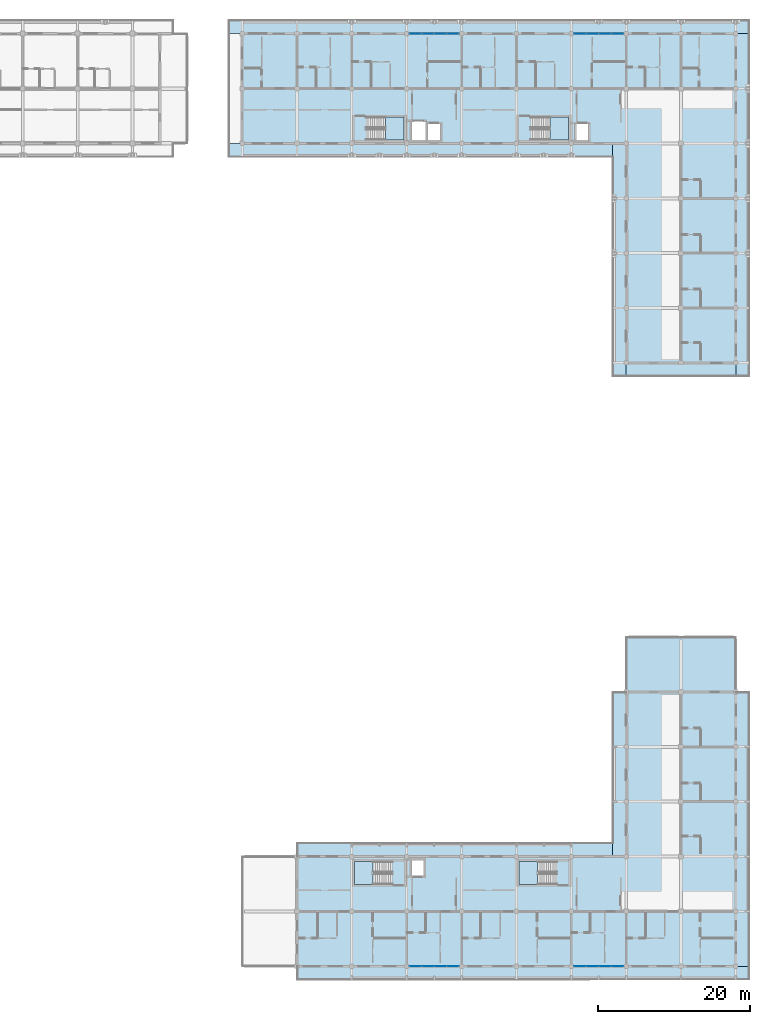
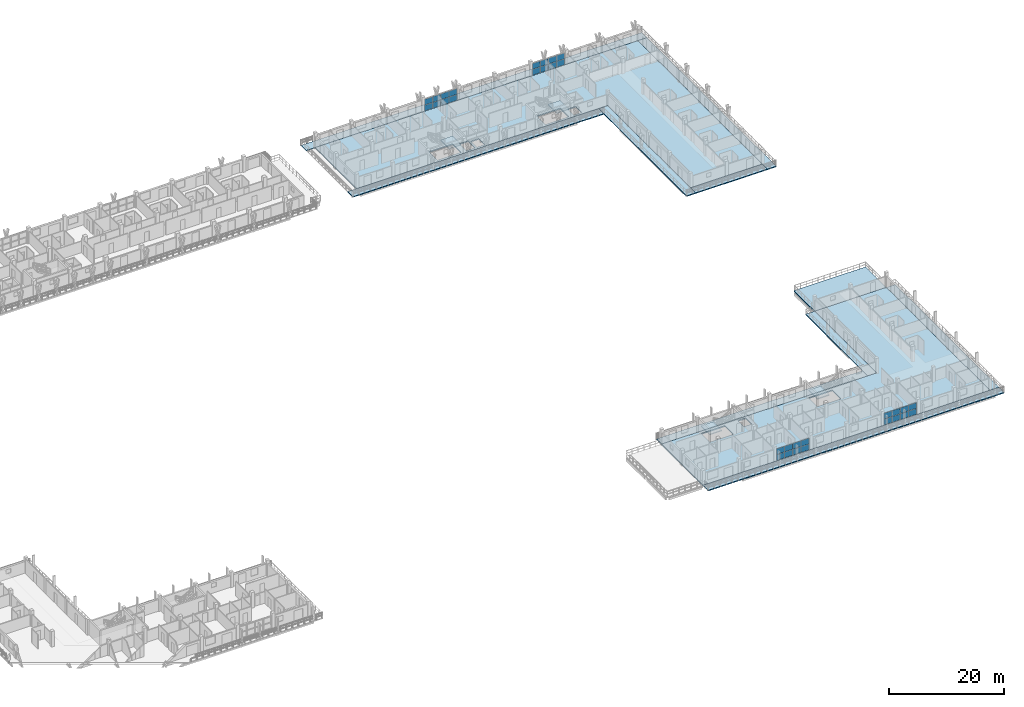
# One storey, part 35 of 75: 32 plates, 16 slabs, 8 elements without a shape of their own.
"""IFC4 building model written with IfcOpenShell, lengths in metres."""

from ifc_helpers import new_model, si_unit, direction, frame, origin, origin_2d, place, context, subcontext, project, spatial, polyline, rectangle, outline, extrude, material, layer, layer_set, type_object, element, aggregate, save


model = new_model("IFC4")

# Units and contexts
model_context = context("Model", 3, precision=1e-05, world=origin(), true_north=direction((0.0, 1.0)))
body_context = subcontext(model_context, "Body", "Model", "MODEL_VIEW")
ifc_project = project(units=[si_unit("LENGTHUNIT", "METRE"), si_unit("AREAUNIT", "SQUARE_METRE"), si_unit("VOLUMEUNIT", "CUBIC_METRE"), si_unit("PLANEANGLEUNIT", "RADIAN"), si_unit("MASSUNIT", "GRAM", prefix="KILO")], contexts=[model_context])

# Site, building, storey
site_placement = place(None, origin())
site = spatial("IfcSite", under=ifc_project, at=site_placement, CompositionType="ELEMENT")
building_placement = place(site_placement, origin())
building = spatial("IfcBuilding", under=site, at=building_placement, Name="Suanplinth Sawtooth Commons", CompositionType="ELEMENT")
storey_placement = place(building_placement, frame((0.0, 0.0, 18.60009765625)))
storey = spatial("IfcBuildingStorey", under=building, at=storey_placement, Name="L05", CompositionType="ELEMENT", Elevation=18.60009765625)

# Curtain wall, plates
ifc_material_1 = material(Name="Anodized aluminium and low-E glazing", Category="aluminium")
curtain_wall_type = type_object("IfcCurtainWallType", Name="CW-06", PredefinedType="USERDEFINED", material=ifc_material_1)
curtain_wall_1_placement = place(storey_placement, origin())
curtain_wall_1 = element("IfcCurtainWall", 1, at=curtain_wall_1_placement, inside=storey, type_object=curtain_wall_type, Name="Curtain Wall CW-L05-B-LOUNGE-20", ObjectType="CURTAIN WALL", PredefinedType="USERDEFINED")
ifc_material_2 = material(Name="Tempered low-E double glazing", Category="glass")
ifc_layer_1 = layer(ifc_material_2, 0.028076171875, Name="Vision low-E insulated glazing unit 28mm")
ifc_layer_set_1 = layer_set([ifc_layer_1], Name="Tempered low-E double glazing")
plate_type = type_object("IfcPlateType", Name="PL-05", PredefinedType="CURTAIN_PANEL", material=ifc_layer_set_1)
plate_1_placement = place(storey_placement, frame((145.141357421875, 122.39990234375, 0.06494140625), z_axis=(0.0, 0.0, 1.0), x_axis=(1.0, 0.0, 0.0)))
plate_1 = element("IfcPlate", 2, at=plate_1_placement, type_object=plate_type, Name="CW-06 panel 1.1", PredefinedType="CURTAIN_PANEL", context=body_context, shape_type="SweptSolid", body=[
    extrude(rectangle(XDim=1.552490234375, YDim=0.028076171875, at=origin_2d()), origin(), (0.0, 0.0, 1.0), 1.20751953125),
])
plate_2_placement = place(storey_placement, frame((145.141357421875, 122.39990234375, 1.33740234375), z_axis=(0.0, 0.0, 1.0), x_axis=(1.0, 0.0, 0.0)))
plate_2 = element("IfcPlate", 3, at=plate_2_placement, type_object=plate_type, Name="CW-06 panel 1.2", PredefinedType="CURTAIN_PANEL", context=body_context, shape_type="SweptSolid", body=[
    extrude(rectangle(XDim=1.552490234375, YDim=0.028076171875, at=origin_2d()), origin(), (0.0, 0.0, 1.0), 1.20751953125),
])
plate_3_placement = place(storey_placement, frame((146.77490234375, 122.39990234375, 0.06494140625), z_axis=(0.0, 0.0, 1.0), x_axis=(1.0, 0.0, 0.0)))
plate_3 = element("IfcPlate", 4, at=plate_3_placement, type_object=plate_type, Name="CW-06 panel 2.1", PredefinedType="CURTAIN_PANEL", context=body_context, shape_type="SweptSolid", body=[
    extrude(rectangle(XDim=1.5849609375, YDim=0.028076171875, at=origin_2d()), origin(), (0.0, 0.0, 1.0), 1.20751953125),
])
plate_4_placement = place(storey_placement, frame((146.77490234375, 122.39990234375, 1.33740234375), z_axis=(0.0, 0.0, 1.0), x_axis=(1.0, 0.0, 0.0)))
plate_4 = element("IfcPlate", 5, at=plate_4_placement, type_object=plate_type, Name="CW-06 panel 2.2", PredefinedType="CURTAIN_PANEL", context=body_context, shape_type="SweptSolid", body=[
    extrude(rectangle(XDim=1.5849609375, YDim=0.028076171875, at=origin_2d()), origin(), (0.0, 0.0, 1.0), 1.20751953125),
])
plate_5_placement = place(storey_placement, frame((148.425048828125, 122.39990234375, 0.06494140625), z_axis=(0.0, 0.0, 1.0), x_axis=(1.0, 0.0, 0.0)))
plate_5 = element("IfcPlate", 6, at=plate_5_placement, type_object=plate_type, Name="CW-06 panel 3.1", PredefinedType="CURTAIN_PANEL", context=body_context, shape_type="SweptSolid", body=[
    extrude(rectangle(XDim=1.5849609375, YDim=0.028076171875, at=origin_2d()), origin(), (0.0, 0.0, 1.0), 1.20751953125),
])
plate_6_placement = place(storey_placement, frame((148.425048828125, 122.39990234375, 1.33740234375), z_axis=(0.0, 0.0, 1.0), x_axis=(1.0, 0.0, 0.0)))
plate_6 = element("IfcPlate", 7, at=plate_6_placement, type_object=plate_type, Name="CW-06 panel 3.2", PredefinedType="CURTAIN_PANEL", context=body_context, shape_type="SweptSolid", body=[
    extrude(rectangle(XDim=1.5849609375, YDim=0.028076171875, at=origin_2d()), origin(), (0.0, 0.0, 1.0), 1.20751953125),
])
plate_7_placement = place(storey_placement, frame((150.058837890625, 122.39990234375, 0.06494140625), z_axis=(0.0, 0.0, 1.0), x_axis=(1.0, 0.0, 0.0)))
plate_7 = element("IfcPlate", 8, at=plate_7_placement, type_object=plate_type, Name="CW-06 panel 4.1", PredefinedType="CURTAIN_PANEL", context=body_context, shape_type="SweptSolid", body=[
    extrude(rectangle(XDim=1.552490234375, YDim=0.028076171875, at=origin_2d()), origin(), (0.0, 0.0, 1.0), 1.20751953125),
])
plate_8_placement = place(storey_placement, frame((150.058837890625, 122.39990234375, 1.33740234375), z_axis=(0.0, 0.0, 1.0), x_axis=(1.0, 0.0, 0.0)))
plate_8 = element("IfcPlate", 9, at=plate_8_placement, type_object=plate_type, Name="CW-06 panel 4.2", PredefinedType="CURTAIN_PANEL", context=body_context, shape_type="SweptSolid", body=[
    extrude(rectangle(XDim=1.552490234375, YDim=0.028076171875, at=origin_2d()), origin(), (0.0, 0.0, 1.0), 1.20751953125),
])
aggregate(curtain_wall_1, [plate_1, plate_2, plate_3, plate_4, plate_5, plate_6, plate_7, plate_8])

curtain_wall_2_placement = place(storey_placement, origin())
curtain_wall_2 = element("IfcCurtainWall", 10, at=curtain_wall_2_placement, inside=storey, type_object=curtain_wall_type, Name="Curtain Wall CW-L05-B-LOUNGE-23", ObjectType="CURTAIN WALL", PredefinedType="USERDEFINED")
plate_9_placement = place(storey_placement, frame((166.7412109375, 122.39990234375, 0.06494140625), z_axis=(0.0, 0.0, 1.0), x_axis=(1.0, 0.0, 0.0)))
plate_9 = element("IfcPlate", 11, at=plate_9_placement, type_object=plate_type, Name="CW-06 panel 1.1", PredefinedType="CURTAIN_PANEL", context=body_context, shape_type="SweptSolid", body=[
    extrude(rectangle(XDim=1.552490234375, YDim=0.028076171875, at=origin_2d()), origin(), (0.0, 0.0, 1.0), 1.20751953125),
])
plate_10_placement = place(storey_placement, frame((166.7412109375, 122.39990234375, 1.33740234375), z_axis=(0.0, 0.0, 1.0), x_axis=(1.0, 0.0, 0.0)))
plate_10 = element("IfcPlate", 12, at=plate_10_placement, type_object=plate_type, Name="CW-06 panel 1.2", PredefinedType="CURTAIN_PANEL", context=body_context, shape_type="SweptSolid", body=[
    extrude(rectangle(XDim=1.552490234375, YDim=0.028076171875, at=origin_2d()), origin(), (0.0, 0.0, 1.0), 1.20751953125),
])
plate_11_placement = place(storey_placement, frame((168.375, 122.39990234375, 0.06494140625), z_axis=(0.0, 0.0, 1.0), x_axis=(1.0, 0.0, 0.0)))
plate_11 = element("IfcPlate", 13, at=plate_11_placement, type_object=plate_type, Name="CW-06 panel 2.1", PredefinedType="CURTAIN_PANEL", context=body_context, shape_type="SweptSolid", body=[
    extrude(rectangle(XDim=1.5849609375, YDim=0.028076171875, at=origin_2d()), origin(), (0.0, 0.0, 1.0), 1.20751953125),
])
plate_12_placement = place(storey_placement, frame((168.375, 122.39990234375, 1.33740234375), z_axis=(0.0, 0.0, 1.0), x_axis=(1.0, 0.0, 0.0)))
plate_12 = element("IfcPlate", 14, at=plate_12_placement, type_object=plate_type, Name="CW-06 panel 2.2", PredefinedType="CURTAIN_PANEL", context=body_context, shape_type="SweptSolid", body=[
    extrude(rectangle(XDim=1.5849609375, YDim=0.028076171875, at=origin_2d()), origin(), (0.0, 0.0, 1.0), 1.20751953125),
])
plate_13_placement = place(storey_placement, frame((170.02490234375, 122.39990234375, 0.06494140625), z_axis=(0.0, 0.0, 1.0), x_axis=(1.0, 0.0, 0.0)))
plate_13 = element("IfcPlate", 15, at=plate_13_placement, type_object=plate_type, Name="CW-06 panel 3.1", PredefinedType="CURTAIN_PANEL", context=body_context, shape_type="SweptSolid", body=[
    extrude(rectangle(XDim=1.5849609375, YDim=0.028076171875, at=origin_2d()), origin(), (0.0, 0.0, 1.0), 1.20751953125),
])
plate_14_placement = place(storey_placement, frame((170.02490234375, 122.39990234375, 1.33740234375), z_axis=(0.0, 0.0, 1.0), x_axis=(1.0, 0.0, 0.0)))
plate_14 = element("IfcPlate", 16, at=plate_14_placement, type_object=plate_type, Name="CW-06 panel 3.2", PredefinedType="CURTAIN_PANEL", context=body_context, shape_type="SweptSolid", body=[
    extrude(rectangle(XDim=1.5849609375, YDim=0.028076171875, at=origin_2d()), origin(), (0.0, 0.0, 1.0), 1.20751953125),
])
plate_15_placement = place(storey_placement, frame((171.65869140625, 122.39990234375, 0.06494140625), z_axis=(0.0, 0.0, 1.0), x_axis=(1.0, 0.0, 0.0)))
plate_15 = element("IfcPlate", 17, at=plate_15_placement, type_object=plate_type, Name="CW-06 panel 4.1", PredefinedType="CURTAIN_PANEL", context=body_context, shape_type="SweptSolid", body=[
    extrude(rectangle(XDim=1.552490234375, YDim=0.028076171875, at=origin_2d()), origin(), (0.0, 0.0, 1.0), 1.20751953125),
])
plate_16_placement = place(storey_placement, frame((171.65869140625, 122.39990234375, 1.33740234375), z_axis=(0.0, 0.0, 1.0), x_axis=(1.0, 0.0, 0.0)))
plate_16 = element("IfcPlate", 18, at=plate_16_placement, type_object=plate_type, Name="CW-06 panel 4.2", PredefinedType="CURTAIN_PANEL", context=body_context, shape_type="SweptSolid", body=[
    extrude(rectangle(XDim=1.552490234375, YDim=0.028076171875, at=origin_2d()), origin(), (0.0, 0.0, 1.0), 1.20751953125),
])
aggregate(curtain_wall_2, [plate_9, plate_10, plate_11, plate_12, plate_13, plate_14, plate_15, plate_16])

curtain_wall_3_placement = place(storey_placement, origin())
curtain_wall_3 = element("IfcCurtainWall", 19, at=curtain_wall_3_placement, inside=storey, type_object=curtain_wall_type, Name="Curtain Wall CW-L05-C-LOUNGE-20", ObjectType="CURTAIN WALL", PredefinedType="USERDEFINED")
plate_17_placement = place(storey_placement, frame((145.141357421875, 0.0, 0.06494140625), z_axis=(0.0, 0.0, 1.0), x_axis=(1.0, 0.0, 0.0)))
plate_17 = element("IfcPlate", 20, at=plate_17_placement, type_object=plate_type, Name="CW-06 panel 1.1", PredefinedType="CURTAIN_PANEL", context=body_context, shape_type="SweptSolid", body=[
    extrude(rectangle(XDim=1.552490234375, YDim=0.028076171875, at=origin_2d()), origin(), (0.0, 0.0, 1.0), 1.20751953125),
])
plate_18_placement = place(storey_placement, frame((145.141357421875, 0.0, 1.33740234375), z_axis=(0.0, 0.0, 1.0), x_axis=(1.0, 0.0, 0.0)))
plate_18 = element("IfcPlate", 21, at=plate_18_placement, type_object=plate_type, Name="CW-06 panel 1.2", PredefinedType="CURTAIN_PANEL", context=body_context, shape_type="SweptSolid", body=[
    extrude(rectangle(XDim=1.552490234375, YDim=0.028076171875, at=origin_2d()), origin(), (0.0, 0.0, 1.0), 1.20751953125),
])
plate_19_placement = place(storey_placement, frame((146.77490234375, 0.0, 0.06494140625), z_axis=(0.0, 0.0, 1.0), x_axis=(1.0, 0.0, 0.0)))
plate_19 = element("IfcPlate", 22, at=plate_19_placement, type_object=plate_type, Name="CW-06 panel 2.1", PredefinedType="CURTAIN_PANEL", context=body_context, shape_type="SweptSolid", body=[
    extrude(rectangle(XDim=1.5849609375, YDim=0.028076171875, at=origin_2d()), origin(), (0.0, 0.0, 1.0), 1.20751953125),
])
plate_20_placement = place(storey_placement, frame((146.77490234375, 0.0, 1.33740234375), z_axis=(0.0, 0.0, 1.0), x_axis=(1.0, 0.0, 0.0)))
plate_20 = element("IfcPlate", 23, at=plate_20_placement, type_object=plate_type, Name="CW-06 panel 2.2", PredefinedType="CURTAIN_PANEL", context=body_context, shape_type="SweptSolid", body=[
    extrude(rectangle(XDim=1.5849609375, YDim=0.028076171875, at=origin_2d()), origin(), (0.0, 0.0, 1.0), 1.20751953125),
])
plate_21_placement = place(storey_placement, frame((148.425048828125, 0.0, 0.06494140625), z_axis=(0.0, 0.0, 1.0), x_axis=(1.0, 0.0, 0.0)))
plate_21 = element("IfcPlate", 24, at=plate_21_placement, type_object=plate_type, Name="CW-06 panel 3.1", PredefinedType="CURTAIN_PANEL", context=body_context, shape_type="SweptSolid", body=[
    extrude(rectangle(XDim=1.5849609375, YDim=0.028076171875, at=origin_2d()), origin(), (0.0, 0.0, 1.0), 1.20751953125),
])
plate_22_placement = place(storey_placement, frame((148.425048828125, 0.0, 1.33740234375), z_axis=(0.0, 0.0, 1.0), x_axis=(1.0, 0.0, 0.0)))
plate_22 = element("IfcPlate", 25, at=plate_22_placement, type_object=plate_type, Name="CW-06 panel 3.2", PredefinedType="CURTAIN_PANEL", context=body_context, shape_type="SweptSolid", body=[
    extrude(rectangle(XDim=1.5849609375, YDim=0.028076171875, at=origin_2d()), origin(), (0.0, 0.0, 1.0), 1.20751953125),
])
plate_23_placement = place(storey_placement, frame((150.058837890625, 0.0, 0.06494140625), z_axis=(0.0, 0.0, 1.0), x_axis=(1.0, 0.0, 0.0)))
plate_23 = element("IfcPlate", 26, at=plate_23_placement, type_object=plate_type, Name="CW-06 panel 4.1", PredefinedType="CURTAIN_PANEL", context=body_context, shape_type="SweptSolid", body=[
    extrude(rectangle(XDim=1.552490234375, YDim=0.028076171875, at=origin_2d()), origin(), (0.0, 0.0, 1.0), 1.20751953125),
])
plate_24_placement = place(storey_placement, frame((150.058837890625, 0.0, 1.33740234375), z_axis=(0.0, 0.0, 1.0), x_axis=(1.0, 0.0, 0.0)))
plate_24 = element("IfcPlate", 27, at=plate_24_placement, type_object=plate_type, Name="CW-06 panel 4.2", PredefinedType="CURTAIN_PANEL", context=body_context, shape_type="SweptSolid", body=[
    extrude(rectangle(XDim=1.552490234375, YDim=0.028076171875, at=origin_2d()), origin(), (0.0, 0.0, 1.0), 1.20751953125),
])
aggregate(curtain_wall_3, [plate_17, plate_18, plate_19, plate_20, plate_21, plate_22, plate_23, plate_24])

curtain_wall_4_placement = place(storey_placement, origin())
curtain_wall_4 = element("IfcCurtainWall", 28, at=curtain_wall_4_placement, inside=storey, type_object=curtain_wall_type, Name="Curtain Wall CW-L05-C-LOUNGE-23", ObjectType="CURTAIN WALL", PredefinedType="USERDEFINED")
plate_25_placement = place(storey_placement, frame((166.7412109375, 0.0, 0.06494140625), z_axis=(0.0, 0.0, 1.0), x_axis=(1.0, 0.0, 0.0)))
plate_25 = element("IfcPlate", 29, at=plate_25_placement, type_object=plate_type, Name="CW-06 panel 1.1", PredefinedType="CURTAIN_PANEL", context=body_context, shape_type="SweptSolid", body=[
    extrude(rectangle(XDim=1.552490234375, YDim=0.028076171875, at=origin_2d()), origin(), (0.0, 0.0, 1.0), 1.20751953125),
])
plate_26_placement = place(storey_placement, frame((166.7412109375, 0.0, 1.33740234375), z_axis=(0.0, 0.0, 1.0), x_axis=(1.0, 0.0, 0.0)))
plate_26 = element("IfcPlate", 30, at=plate_26_placement, type_object=plate_type, Name="CW-06 panel 1.2", PredefinedType="CURTAIN_PANEL", context=body_context, shape_type="SweptSolid", body=[
    extrude(rectangle(XDim=1.552490234375, YDim=0.028076171875, at=origin_2d()), origin(), (0.0, 0.0, 1.0), 1.20751953125),
])
plate_27_placement = place(storey_placement, frame((168.375, 0.0, 0.06494140625), z_axis=(0.0, 0.0, 1.0), x_axis=(1.0, 0.0, 0.0)))
plate_27 = element("IfcPlate", 31, at=plate_27_placement, type_object=plate_type, Name="CW-06 panel 2.1", PredefinedType="CURTAIN_PANEL", context=body_context, shape_type="SweptSolid", body=[
    extrude(rectangle(XDim=1.5849609375, YDim=0.028076171875, at=origin_2d()), origin(), (0.0, 0.0, 1.0), 1.20751953125),
])
plate_28_placement = place(storey_placement, frame((168.375, 0.0, 1.33740234375), z_axis=(0.0, 0.0, 1.0), x_axis=(1.0, 0.0, 0.0)))
plate_28 = element("IfcPlate", 32, at=plate_28_placement, type_object=plate_type, Name="CW-06 panel 2.2", PredefinedType="CURTAIN_PANEL", context=body_context, shape_type="SweptSolid", body=[
    extrude(rectangle(XDim=1.5849609375, YDim=0.028076171875, at=origin_2d()), origin(), (0.0, 0.0, 1.0), 1.20751953125),
])
plate_29_placement = place(storey_placement, frame((170.02490234375, 0.0, 0.06494140625), z_axis=(0.0, 0.0, 1.0), x_axis=(1.0, 0.0, 0.0)))
plate_29 = element("IfcPlate", 33, at=plate_29_placement, type_object=plate_type, Name="CW-06 panel 3.1", PredefinedType="CURTAIN_PANEL", context=body_context, shape_type="SweptSolid", body=[
    extrude(rectangle(XDim=1.5849609375, YDim=0.028076171875, at=origin_2d()), origin(), (0.0, 0.0, 1.0), 1.20751953125),
])
plate_30_placement = place(storey_placement, frame((170.02490234375, 0.0, 1.33740234375), z_axis=(0.0, 0.0, 1.0), x_axis=(1.0, 0.0, 0.0)))
plate_30 = element("IfcPlate", 34, at=plate_30_placement, type_object=plate_type, Name="CW-06 panel 3.2", PredefinedType="CURTAIN_PANEL", context=body_context, shape_type="SweptSolid", body=[
    extrude(rectangle(XDim=1.5849609375, YDim=0.028076171875, at=origin_2d()), origin(), (0.0, 0.0, 1.0), 1.20751953125),
])
plate_31_placement = place(storey_placement, frame((171.65869140625, 0.0, 0.06494140625), z_axis=(0.0, 0.0, 1.0), x_axis=(1.0, 0.0, 0.0)))
plate_31 = element("IfcPlate", 35, at=plate_31_placement, type_object=plate_type, Name="CW-06 panel 4.1", PredefinedType="CURTAIN_PANEL", context=body_context, shape_type="SweptSolid", body=[
    extrude(rectangle(XDim=1.552490234375, YDim=0.028076171875, at=origin_2d()), origin(), (0.0, 0.0, 1.0), 1.20751953125),
])
plate_32_placement = place(storey_placement, frame((171.65869140625, 0.0, 1.33740234375), z_axis=(0.0, 0.0, 1.0), x_axis=(1.0, 0.0, 0.0)))
plate_32 = element("IfcPlate", 36, at=plate_32_placement, type_object=plate_type, Name="CW-06 panel 4.2", PredefinedType="CURTAIN_PANEL", context=body_context, shape_type="SweptSolid", body=[
    extrude(rectangle(XDim=1.552490234375, YDim=0.028076171875, at=origin_2d()), origin(), (0.0, 0.0, 1.0), 1.20751953125),
])
aggregate(curtain_wall_4, [plate_25, plate_26, plate_27, plate_28, plate_29, plate_30, plate_31, plate_32])

# Slabs
ifc_material_3 = material(Name="Precast concrete C40/50", Category="concrete")
ifc_layer_2 = layer(ifc_material_3, 0.179931640625, Name="Wrap-around cantilevered precast balcony slab 180mm")
ifc_layer_set_2 = layer_set([ifc_layer_2], Name="Precast concrete C40/50")
slab_type_1 = type_object("IfcSlabType", Name="S-BL01", PredefinedType="FLOOR", material=ifc_layer_set_2)
slab_1_placement = place(storey_placement, frame((0.0, 0.0, -0.18017578125)))
element("IfcSlab", 37, at=slab_1_placement, inside=storey, type_object=slab_type_1, Name="L05 Block B Wrap-Around Balcony N", PredefinedType="FLOOR", context=body_context, shape_type="SweptSolid", body=[
    extrude(outline(polyline([(120.60009765625, 122.39990234375), (120.60009765625, 124.199951171875), (189.0, 124.199951171875), (189.0, 122.39990234375), (120.60009765625, 122.39990234375)])), origin(), (0.0, 0.0, 1.0), 0.18017578125),
])
slab_2_placement = place(storey_placement, frame((0.0, 0.0, -0.18017578125)))
element("IfcSlab", 38, at=slab_2_placement, inside=storey, type_object=slab_type_1, Name="L05 Block B Wrap-Around Balcony E", PredefinedType="FLOOR", context=body_context, shape_type="SweptSolid", body=[
    extrude(outline(polyline([(189.0, 122.39990234375), (189.0, 77.39990234375), (187.199951171875, 77.39990234375), (187.199951171875, 122.39990234375), (189.0, 122.39990234375)])), origin(), (0.0, 0.0, 1.0), 0.18017578125),
])
slab_3_placement = place(storey_placement, frame((0.0, 0.0, -0.18017578125)))
element("IfcSlab", 39, at=slab_3_placement, inside=storey, type_object=slab_type_1, Name="L05 Block B Wrap-Around Balcony SEND", PredefinedType="FLOOR", context=body_context, shape_type="SweptSolid", body=[
    extrude(outline(polyline([(187.199951171875, 77.39990234375), (172.800048828125, 77.39990234375), (172.800048828125, 79.199951171875), (187.199951171875, 79.199951171875), (187.199951171875, 77.39990234375)])), origin(), (0.0, 0.0, 1.0), 0.18017578125),
])
slab_4_placement = place(storey_placement, frame((0.0, 0.0, -0.18017578125)))
element("IfcSlab", 40, at=slab_4_placement, inside=storey, type_object=slab_type_1, Name="L05 Block C Wrap-Around Balcony S", PredefinedType="FLOOR", context=body_context, shape_type="SweptSolid", body=[
    extrude(outline(polyline([(189.0, 0.0), (189.0, -1.800048828125), (129.60009765625, -1.800048828125), (129.60009765625, 0.0), (189.0, 0.0)])), origin(), (0.0, 0.0, 1.0), 0.18017578125),
])
slab_5_placement = place(storey_placement, frame((0.0, 0.0, -0.18017578125)))
element("IfcSlab", 41, at=slab_5_placement, inside=storey, type_object=slab_type_1, Name="L05 Block C Wrap-Around Balcony E", PredefinedType="FLOOR", context=body_context, shape_type="SweptSolid", body=[
    extrude(outline(polyline([(189.0, 36.0), (189.0, 0.0), (187.199951171875, 0.0), (187.199951171875, 36.0), (189.0, 36.0)])), origin(), (0.0, 0.0, 1.0), 0.18017578125),
])
ifc_layer_3 = layer(ifc_material_3, 0.175048828125, Name="Courtyard cantilevered precast balcony slab 175mm")
ifc_layer_set_3 = layer_set([ifc_layer_3], Name="Precast concrete C40/50")
slab_type_2 = type_object("IfcSlabType", Name="S-BL02", PredefinedType="FLOOR", material=ifc_layer_set_3)
slab_6_placement = place(storey_placement, frame((0.0, 0.0, -0.175048828125)))
element("IfcSlab", 42, at=slab_6_placement, inside=storey, type_object=slab_type_2, Name="L05 Block B Wrap-Around Balcony SC", PredefinedType="FLOOR", context=body_context, shape_type="SweptSolid", body=[
    extrude(outline(polyline([(171.0, 106.199951171875), (120.60009765625, 106.199951171875), (120.60009765625, 108.0), (171.0, 108.0), (171.0, 106.199951171875)])), origin(), (0.0, 0.0, 1.0), 0.175048828125),
])
slab_7_placement = place(storey_placement, frame((0.0, 0.0, -0.175048828125)))
element("IfcSlab", 43, at=slab_7_placement, inside=storey, type_object=slab_type_2, Name="L05 Block B Wrap-Around Balcony WC", PredefinedType="FLOOR", context=body_context, shape_type="SweptSolid", body=[
    extrude(outline(polyline([(172.800048828125, 77.39990234375), (171.0, 77.39990234375), (171.0, 108.0), (172.800048828125, 108.0), (172.800048828125, 77.39990234375)])), origin(), (0.0, 0.0, 1.0), 0.175048828125),
])
slab_8_placement = place(storey_placement, frame((0.0, 0.0, -0.175048828125)))
element("IfcSlab", 44, at=slab_8_placement, inside=storey, type_object=slab_type_2, Name="L05 Block C Wrap-Around Balcony NC", PredefinedType="FLOOR", context=body_context, shape_type="SweptSolid", body=[
    extrude(outline(polyline([(129.60009765625, 16.199951171875), (171.0, 16.199951171875), (171.0, 14.39990234375), (129.60009765625, 14.39990234375), (129.60009765625, 16.199951171875)])), origin(), (0.0, 0.0, 1.0), 0.175048828125),
])
slab_9_placement = place(storey_placement, frame((0.0, 0.0, -0.175048828125)))
element("IfcSlab", 45, at=slab_9_placement, inside=storey, type_object=slab_type_2, Name="L05 Block C Wrap-Around Balcony WC", PredefinedType="FLOOR", context=body_context, shape_type="SweptSolid", body=[
    extrude(outline(polyline([(172.800048828125, 14.39990234375), (171.0, 14.39990234375), (171.0, 36.0), (172.800048828125, 36.0), (172.800048828125, 14.39990234375)])), origin(), (0.0, 0.0, 1.0), 0.175048828125),
])
ifc_layer_4 = layer(ifc_material_3, 0.25, Name="Precast hollow-core + topping floor slab 250mm")
ifc_layer_set_4 = layer_set([ifc_layer_4], Name="Precast concrete C40/50")
slab_type_3 = type_object("IfcSlabType", Name="S-FL01", PredefinedType="FLOOR", material=ifc_layer_set_4)
slab_10_placement = place(storey_placement, frame((0.0, 0.0, -0.25)))
element("IfcSlab", 46, at=slab_10_placement, inside=storey, type_object=slab_type_3, Name="L05 Block B Structural Floor Plate", PredefinedType="FLOOR", context=body_context, shape_type="SweptSolid", body=[
    extrude(outline(polyline([(172.800048828125, 108.0), (122.39990234375, 108.0), (122.39990234375, 122.39990234375), (187.199951171875, 122.39990234375), (187.199951171875, 79.199951171875), (172.800048828125, 79.199951171875), (172.800048828125, 108.0)]), holes=[polyline([(138.889892578125, 108.449951171875), (143.64990234375, 108.449951171875), (143.64990234375, 111.449951171875), (138.889892578125, 111.449951171875), (138.889892578125, 108.449951171875)]), polyline([(144.64990234375, 108.449951171875), (146.449951171875, 108.449951171875), (146.449951171875, 110.85009765625), (144.64990234375, 110.85009765625), (144.64990234375, 108.449951171875)]), polyline([(146.800048828125, 108.449951171875), (148.39990234375, 108.449951171875), (148.39990234375, 110.550048828125), (146.800048828125, 110.550048828125), (146.800048828125, 108.449951171875)]), polyline([(160.489990234375, 108.449951171875), (165.25, 108.449951171875), (165.25, 111.449951171875), (160.489990234375, 111.449951171875), (160.489990234375, 108.449951171875)]), polyline([(166.25, 108.449951171875), (167.85009765625, 108.449951171875), (167.85009765625, 110.550048828125), (166.25, 110.550048828125), (166.25, 108.449951171875)])]), origin(), (0.0, 0.0, 1.0), 0.25),
])
slab_11_placement = place(storey_placement, frame((0.0, 0.0, -0.25)))
element("IfcSlab", 47, at=slab_11_placement, inside=storey, type_object=slab_type_3, Name="L05 Block C Structural Floor Plate", PredefinedType="FLOOR", context=body_context, shape_type="SweptSolid", body=[
    extrude(outline(polyline([(187.199951171875, 0.0), (129.60009765625, 0.0), (129.60009765625, 14.39990234375), (172.800048828125, 14.39990234375), (172.800048828125, 36.0), (187.199951171875, 36.0), (187.199951171875, 0.0)]), holes=[polyline([(137.14990234375, 10.75), (141.909912109375, 10.75), (141.909912109375, 13.75), (137.14990234375, 13.75), (137.14990234375, 10.75)]), polyline([(144.64990234375, 11.85009765625), (146.25, 11.85009765625), (146.25, 13.949951171875), (144.64990234375, 13.949951171875), (144.64990234375, 11.85009765625)]), polyline([(158.75, 10.75), (163.510009765625, 10.75), (163.510009765625, 13.75), (158.75, 13.75), (158.75, 10.75)])]), origin(), (0.0, 0.0, 1.0), 0.25),
])

# Stair, slab
ifc_material_4 = material(Name="Concrete C40/50", Category="concrete")
stair_type = type_object("IfcStairType", Name="ST-08", PredefinedType="USERDEFINED", material=ifc_material_4)
stair_1_placement = place(storey_placement, origin())
stair_1 = element("IfcStair", 48, at=stair_1_placement, inside=storey, type_object=stair_type, Name="L05 Exit Stair ST-E1", ObjectType="TWO_RETURN_STAIR", PredefinedType="USERDEFINED")
ifc_layer_5 = layer(ifc_material_4, 0.199951171875, Name="Reinforced concrete stair and ramp landing slab 200mm")
ifc_layer_set_5 = layer_set([ifc_layer_5], Name="Concrete C40/50")
slab_type_4 = type_object("IfcSlabType", Name="S-LD01", PredefinedType="LANDING", material=ifc_layer_set_5)
slab_12_placement = place(storey_placement, frame((0.0, 0.0, 1.449951171875)))
slab_12 = element("IfcSlab", 49, at=slab_12_placement, type_object=slab_type_4, Name="ST-08 landing 1", PredefinedType="LANDING", context=body_context, shape_type="SweptSolid", body=[
    extrude(outline(polyline([(141.215087890625, 108.449951171875), (143.64990234375, 108.449951171875), (143.64990234375, 111.449951171875), (141.215087890625, 111.449951171875), (141.215087890625, 108.449951171875)])), origin(), (0.0, 0.0, 1.0), 0.199951171875),
])
aggregate(stair_1, [slab_12])

stair_2_placement = place(storey_placement, origin())
stair_2 = element("IfcStair", 50, at=stair_2_placement, inside=storey, type_object=stair_type, Name="L05 Exit Stair ST-E2", ObjectType="TWO_RETURN_STAIR", PredefinedType="USERDEFINED")
slab_13_placement = place(storey_placement, frame((0.0, 0.0, 1.449951171875)))
slab_13 = element("IfcSlab", 51, at=slab_13_placement, type_object=slab_type_4, Name="ST-08 landing 1", PredefinedType="LANDING", context=body_context, shape_type="SweptSolid", body=[
    extrude(outline(polyline([(162.81494140625, 108.449951171875), (165.25, 108.449951171875), (165.25, 111.449951171875), (162.81494140625, 111.449951171875), (162.81494140625, 108.449951171875)])), origin(), (0.0, 0.0, 1.0), 0.199951171875),
])
aggregate(stair_2, [slab_13])

stair_3_placement = place(storey_placement, origin())
stair_3 = element("IfcStair", 52, at=stair_3_placement, inside=storey, type_object=stair_type, Name="L05 Exit Stair ST-S1", ObjectType="TWO_RETURN_STAIR", PredefinedType="USERDEFINED")
slab_14_placement = place(storey_placement, frame((0.0, 0.0, 1.449951171875)))
slab_14 = element("IfcSlab", 53, at=slab_14_placement, type_object=slab_type_4, Name="ST-08 landing 1", PredefinedType="LANDING", context=body_context, shape_type="SweptSolid", body=[
    extrude(outline(polyline([(139.5849609375, 13.75), (137.14990234375, 13.75), (137.14990234375, 10.75), (139.5849609375, 10.75), (139.5849609375, 13.75)])), origin(), (0.0, 0.0, 1.0), 0.199951171875),
])
aggregate(stair_3, [slab_14])

stair_4_placement = place(storey_placement, origin())
stair_4 = element("IfcStair", 54, at=stair_4_placement, inside=storey, type_object=stair_type, Name="L05 Exit Stair ST-S2", ObjectType="TWO_RETURN_STAIR", PredefinedType="USERDEFINED")
slab_15_placement = place(storey_placement, frame((0.0, 0.0, 1.449951171875)))
slab_15 = element("IfcSlab", 55, at=slab_15_placement, type_object=slab_type_4, Name="ST-08 landing 1", PredefinedType="LANDING", context=body_context, shape_type="SweptSolid", body=[
    extrude(outline(polyline([(161.18505859375, 13.75), (158.75, 13.75), (158.75, 10.75), (161.18505859375, 10.75), (161.18505859375, 13.75)])), origin(), (0.0, 0.0, 1.0), 0.199951171875),
])
aggregate(stair_4, [slab_15])

# Slab
ifc_layer_6 = layer(ifc_material_4, 0.239990234375, Name="Stepped sky-terrace & courtyard garden slab 240mm")
ifc_layer_set_6 = layer_set([ifc_layer_6], Name="Concrete C40/50")
slab_type_5 = type_object("IfcSlabType", Name="S-TR01", PredefinedType="FLOOR", material=ifc_layer_set_6)
slab_16_placement = place(storey_placement, frame((0.0, 0.0, -0.239990234375)))
element("IfcSlab", 56, at=slab_16_placement, inside=storey, type_object=slab_type_5, Name="L05 Block C Stepped Sky-Terrace 2", PredefinedType="FLOOR", context=body_context, shape_type="SweptSolid", body=[
    extrude(outline(polyline([(172.800048828125, 43.199951171875), (187.199951171875, 43.199951171875), (187.199951171875, 36.0), (172.800048828125, 36.0), (172.800048828125, 43.199951171875)])), origin(), (0.0, 0.0, 1.0), 0.239990234375),
])

save(model, "model.ifc")
